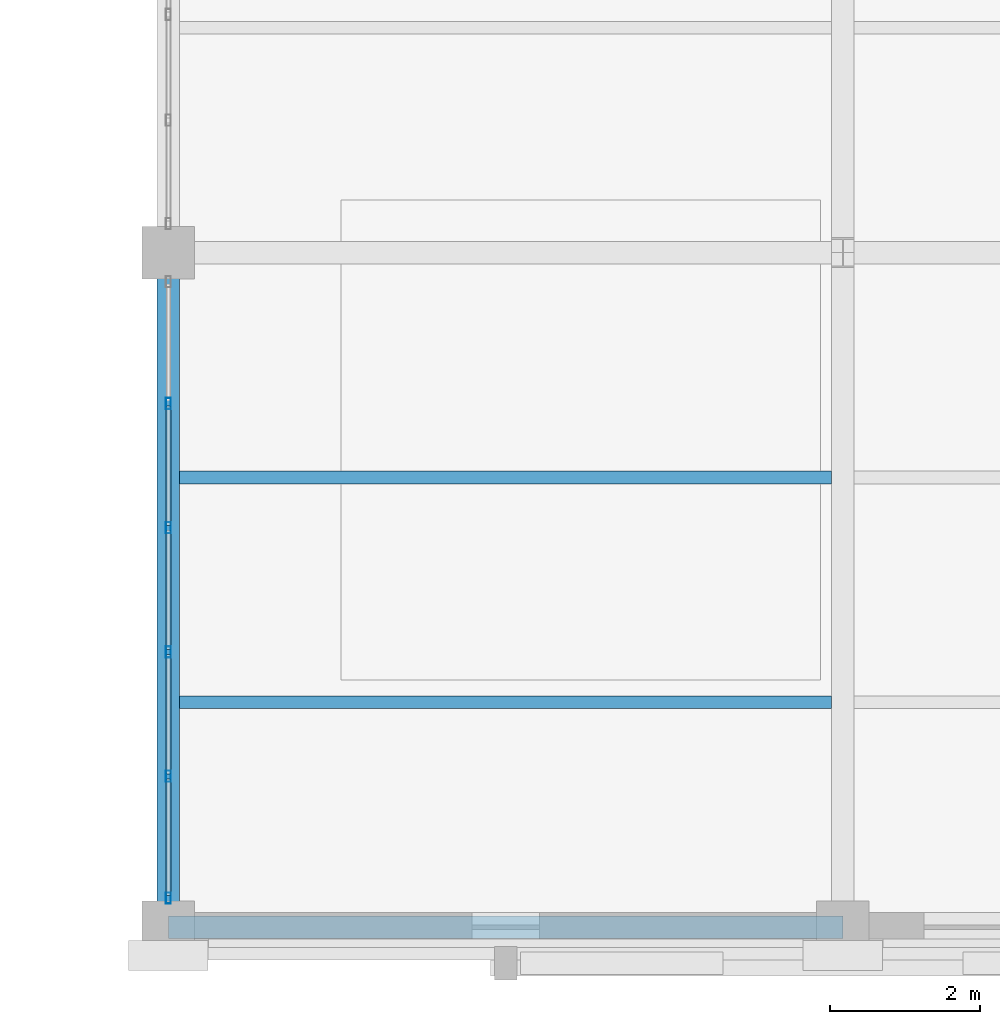
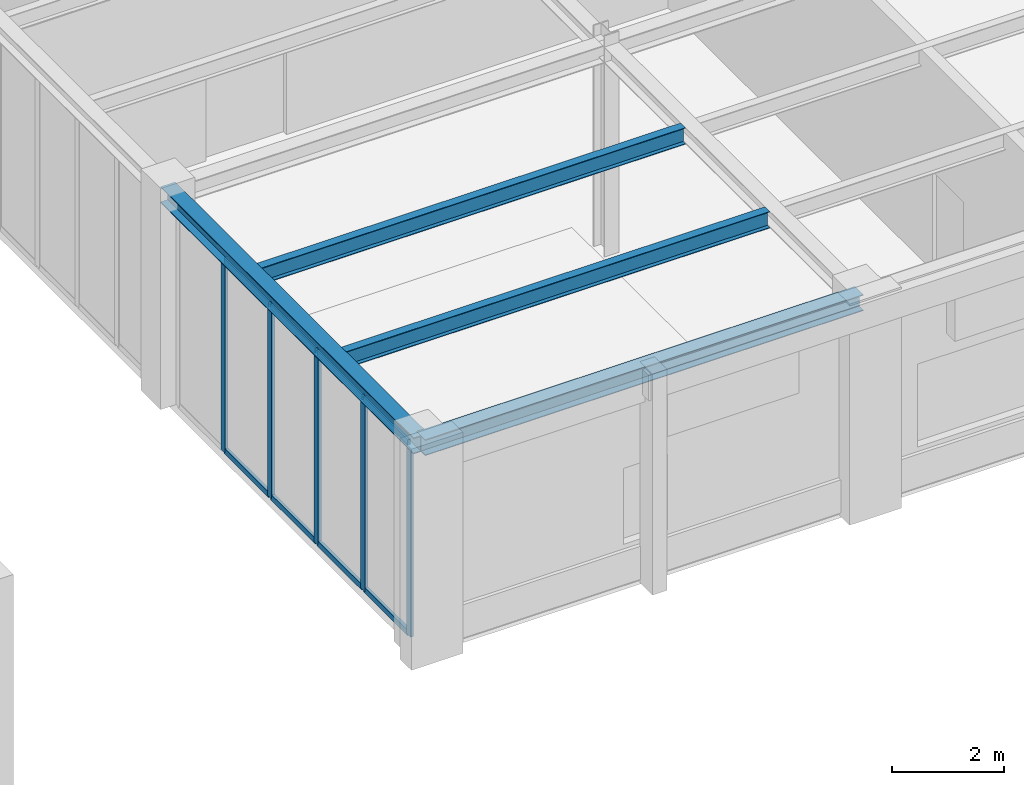
# One storey, part 28 of 92: 13 members, 4 beams, 1 element without a shape of its own.
"""IFC4 building model written with IfcOpenShell, lengths in metres."""

from ifc_helpers import new_model, si_unit, direction, frame, origin, origin_2d, place, context, subcontext, project, spatial, hollow_rectangle, i_section, extrude, material, material_profile, profile_set, type_object, element, aggregate, save


model = new_model("IFC4")

# Units and contexts
model_context = context("Model", 3, precision=1e-05, world=origin(), true_north=direction((0.0, 1.0)))
body_context = subcontext(model_context, "Body", "Model", "MODEL_VIEW")
ifc_project = project(units=[si_unit("LENGTHUNIT", "METRE"), si_unit("AREAUNIT", "SQUARE_METRE"), si_unit("VOLUMEUNIT", "CUBIC_METRE"), si_unit("PLANEANGLEUNIT", "RADIAN"), si_unit("MASSUNIT", "GRAM", prefix="KILO")], contexts=[model_context])

# Site, building, storey
site_placement = place(None, origin())
site = spatial("IfcSite", under=ifc_project, at=site_placement, CompositionType="ELEMENT")
building_placement = place(site_placement, origin())
building = spatial("IfcBuilding", under=site, at=building_placement, Name="Lykobir Media Centre", CompositionType="ELEMENT")
storey_placement = place(building_placement, frame((0.0, 0.0, 5.39990234375)))
storey = spatial("IfcBuildingStorey", under=building, at=storey_placement, Name="L01", CompositionType="ELEMENT", Elevation=5.39990234375)

# Curtain wall, members
ifc_material_1 = material(Name="Anodized Aluminium AW-6060", Category="aluminium")
curtain_wall_type = type_object("IfcCurtainWallType", Name="CW-BRIDGE", PredefinedType="NOTDEFINED", material=ifc_material_1)
curtain_wall_placement = place(storey_placement, origin())
curtain_wall = element("IfcCurtainWall", 1, at=curtain_wall_placement, inside=storey, type_object=curtain_wall_type, Name="Curtain wall CW2-L01-0026", PredefinedType="NOTDEFINED")
ifc_material_profile_1 = material_profile(ifc_material_1, hollow_rectangle(XDim=0.06494140625, YDim=0.14990234375, WallThickness=0.00341796875, at=origin_2d()), Name="ALU MULLION 65x150")
ifc_profile_set_1 = profile_set([ifc_material_profile_1], Name="Anodized Aluminium AW-6060")
member_type_1 = type_object("IfcMemberType", Name="CWM-150", PredefinedType="MULLION", material=ifc_profile_set_1)
member_1_placement = place(storey_placement, frame((90.0, 0.387451171875, 0.0), z_axis=(0.0, 0.0, 1.0), x_axis=(-1.0, 0.0, 0.0)))
member_1 = element("IfcMember", 2, at=member_1_placement, type_object=member_type_1, Name="CW2-L01-0026 mullion 1", PredefinedType="MULLION", context=body_context, shape_type="SweptSolid", body=[
    extrude(hollow_rectangle(XDim=0.06494140625, YDim=0.14990234375, WallThickness=0.00341796875, at=origin_2d()), origin(), (0.0, 0.0, 1.0), 4.195068359375),
])
member_2_placement = place(storey_placement, frame((90.0, 2.012939453125, 0.0), z_axis=(0.0, 0.0, 1.0), x_axis=(-1.0, 0.0, 0.0)))
member_2 = element("IfcMember", 3, at=member_2_placement, type_object=member_type_1, Name="CW2-L01-0026 mullion 2", PredefinedType="MULLION", context=body_context, shape_type="SweptSolid", body=[
    extrude(hollow_rectangle(XDim=0.06494140625, YDim=0.14990234375, WallThickness=0.00341796875, at=origin_2d()), origin(), (0.0, 0.0, 1.0), 4.195068359375),
])
member_3_placement = place(storey_placement, frame((90.0, 3.6708984375, 0.0), z_axis=(0.0, 0.0, 1.0), x_axis=(-1.0, 0.0, 0.0)))
member_3 = element("IfcMember", 4, at=member_3_placement, type_object=member_type_1, Name="CW2-L01-0026 mullion 3", PredefinedType="MULLION", context=body_context, shape_type="SweptSolid", body=[
    extrude(hollow_rectangle(XDim=0.06494140625, YDim=0.14990234375, WallThickness=0.00341796875, at=origin_2d()), origin(), (0.0, 0.0, 1.0), 4.195068359375),
])
member_4_placement = place(storey_placement, frame((90.0, 5.3291015625, 0.0), z_axis=(0.0, 0.0, 1.0), x_axis=(-1.0, 0.0, 0.0)))
member_4 = element("IfcMember", 5, at=member_4_placement, type_object=member_type_1, Name="CW2-L01-0026 mullion 4", PredefinedType="MULLION", context=body_context, shape_type="SweptSolid", body=[
    extrude(hollow_rectangle(XDim=0.06494140625, YDim=0.14990234375, WallThickness=0.00341796875, at=origin_2d()), origin(), (0.0, 0.0, 1.0), 4.195068359375),
])
member_5_placement = place(storey_placement, frame((90.0, 6.987060546875, 0.0), z_axis=(0.0, 0.0, 1.0), x_axis=(-1.0, 0.0, 0.0)))
member_5 = element("IfcMember", 6, at=member_5_placement, type_object=member_type_1, Name="CW2-L01-0026 mullion 5", PredefinedType="MULLION", context=body_context, shape_type="SweptSolid", body=[
    extrude(hollow_rectangle(XDim=0.06494140625, YDim=0.14990234375, WallThickness=0.00341796875, at=origin_2d()), origin(), (0.0, 0.0, 1.0), 4.195068359375),
])
ifc_material_profile_2 = material_profile(ifc_material_1, hollow_rectangle(XDim=0.06494140625, YDim=0.1201171875, WallThickness=0.0029296875, at=origin_2d()), Name="ALU TRANSOM 65x120")
ifc_profile_set_2 = profile_set([ifc_material_profile_2], Name="Anodized Aluminium AW-6060")
member_type_2 = type_object("IfcMemberType", Name="CWT-120", PredefinedType="USERDEFINED", material=ifc_profile_set_2)
member_6_placement = place(storey_placement, frame((90.0, 0.419921875, 0.03271484375), z_axis=(0.0, 1.0, 0.0), x_axis=(-1.0, 0.0, 0.0)))
member_6 = element("IfcMember", 7, at=member_6_placement, type_object=member_type_2, Name="CW2-L01-0026 transom 1.1", ObjectType="TRANSOM", PredefinedType="USERDEFINED", context=body_context, shape_type="SweptSolid", body=[
    extrude(hollow_rectangle(XDim=0.06494140625, YDim=0.1201171875, WallThickness=0.0029296875, at=origin_2d()), origin(), (0.0, 0.0, 1.0), 1.560546875),
])
member_7_placement = place(storey_placement, frame((90.0, 0.419921875, 4.16259765625), z_axis=(0.0, 1.0, 0.0), x_axis=(-1.0, 0.0, 0.0)))
member_7 = element("IfcMember", 8, at=member_7_placement, type_object=member_type_2, Name="CW2-L01-0026 transom 1.2", ObjectType="TRANSOM", PredefinedType="USERDEFINED", context=body_context, shape_type="SweptSolid", body=[
    extrude(hollow_rectangle(XDim=0.06494140625, YDim=0.1201171875, WallThickness=0.0029296875, at=origin_2d()), origin(), (0.0, 0.0, 1.0), 1.560546875),
])
member_8_placement = place(storey_placement, frame((90.0, 2.04541015625, 0.03271484375), z_axis=(0.0, 1.0, 0.0), x_axis=(-1.0, 0.0, 0.0)))
member_8 = element("IfcMember", 9, at=member_8_placement, type_object=member_type_2, Name="CW2-L01-0026 transom 2.1", ObjectType="TRANSOM", PredefinedType="USERDEFINED", context=body_context, shape_type="SweptSolid", body=[
    extrude(hollow_rectangle(XDim=0.06494140625, YDim=0.1201171875, WallThickness=0.0029296875, at=origin_2d()), origin(), (0.0, 0.0, 1.0), 1.593017578125),
])
member_9_placement = place(storey_placement, frame((90.0, 2.04541015625, 4.16259765625), z_axis=(0.0, 1.0, 0.0), x_axis=(-1.0, 0.0, 0.0)))
member_9 = element("IfcMember", 10, at=member_9_placement, type_object=member_type_2, Name="CW2-L01-0026 transom 2.2", ObjectType="TRANSOM", PredefinedType="USERDEFINED", context=body_context, shape_type="SweptSolid", body=[
    extrude(hollow_rectangle(XDim=0.06494140625, YDim=0.1201171875, WallThickness=0.0029296875, at=origin_2d()), origin(), (0.0, 0.0, 1.0), 1.593017578125),
])
member_10_placement = place(storey_placement, frame((90.0, 3.70361328125, 0.03271484375), z_axis=(0.0, 1.0, 0.0), x_axis=(-1.0, 0.0, 0.0)))
member_10 = element("IfcMember", 11, at=member_10_placement, type_object=member_type_2, Name="CW2-L01-0026 transom 3.1", ObjectType="TRANSOM", PredefinedType="USERDEFINED", context=body_context, shape_type="SweptSolid", body=[
    extrude(hollow_rectangle(XDim=0.06494140625, YDim=0.1201171875, WallThickness=0.0029296875, at=origin_2d()), origin(), (0.0, 0.0, 1.0), 1.5927734375),
])
member_11_placement = place(storey_placement, frame((90.0, 3.70361328125, 4.16259765625), z_axis=(0.0, 1.0, 0.0), x_axis=(-1.0, 0.0, 0.0)))
member_11 = element("IfcMember", 12, at=member_11_placement, type_object=member_type_2, Name="CW2-L01-0026 transom 3.2", ObjectType="TRANSOM", PredefinedType="USERDEFINED", context=body_context, shape_type="SweptSolid", body=[
    extrude(hollow_rectangle(XDim=0.06494140625, YDim=0.1201171875, WallThickness=0.0029296875, at=origin_2d()), origin(), (0.0, 0.0, 1.0), 1.5927734375),
])
member_12_placement = place(storey_placement, frame((90.0, 5.361572265625, 0.03271484375), z_axis=(0.0, 1.0, 0.0), x_axis=(-1.0, 0.0, 0.0)))
member_12 = element("IfcMember", 13, at=member_12_placement, type_object=member_type_2, Name="CW2-L01-0026 transom 4.1", ObjectType="TRANSOM", PredefinedType="USERDEFINED", context=body_context, shape_type="SweptSolid", body=[
    extrude(hollow_rectangle(XDim=0.06494140625, YDim=0.1201171875, WallThickness=0.0029296875, at=origin_2d()), origin(), (0.0, 0.0, 1.0), 1.593017578125),
])
member_13_placement = place(storey_placement, frame((90.0, 5.361572265625, 4.16259765625), z_axis=(0.0, 1.0, 0.0), x_axis=(-1.0, 0.0, 0.0)))
member_13 = element("IfcMember", 14, at=member_13_placement, type_object=member_type_2, Name="CW2-L01-0026 transom 4.2", ObjectType="TRANSOM", PredefinedType="USERDEFINED", context=body_context, shape_type="SweptSolid", body=[
    extrude(hollow_rectangle(XDim=0.06494140625, YDim=0.1201171875, WallThickness=0.0029296875, at=origin_2d()), origin(), (0.0, 0.0, 1.0), 1.593017578125),
])
aggregate(curtain_wall, [member_1, member_2, member_3, member_4, member_5, member_6, member_7, member_8, member_9, member_10, member_11, member_12, member_13])

# Beams
ifc_material_2 = material(Name="Steel S355", Category="steel")
ifc_material_profile_3 = material_profile(ifc_material_2, i_section(OverallWidth=0.169921875, OverallDepth=0.360107421875, WebThickness=0.008056640625, FlangeThickness=0.0126953125, at=origin_2d()), Name="IPE 360")
ifc_profile_set_3 = profile_set([ifc_material_profile_3], Name="Steel S355")
beam_type_1 = type_object("IfcBeamType", Name="JS-IPE360", PredefinedType="JOIST", material=ifc_profile_set_3)
for number, where, z_axis, x_axis, name in (
    (15, (90.14990234375, 3.0, 4.380126953125), (1.0, 0.0, 0.0), (0.0, 1.0, 0.0), "Beam BM-L01-0902-0030-0988-0030-978"),
    (16, (90.14990234375, 6.0, 4.380126953125), (1.0, 0.0, 0.0), (0.0, 1.0, 0.0), "Beam BM-L01-0902-0060-0988-0060-978"),
):
    element("IfcBeam", number, at=place(storey_placement, frame(where, z_axis=z_axis, x_axis=x_axis)), inside=storey, type_object=beam_type_1, Name=name, PredefinedType="JOIST", context=body_context, shape_type="SweptSolid", body=[
        extrude(i_section(OverallWidth=0.169921875, OverallDepth=0.360107421875, WebThickness=0.008056640625, FlangeThickness=0.0126953125, at=origin_2d()), origin(), (0.0, 0.0, 1.0), 8.7001953125),
    ])
ifc_material_profile_4 = material_profile(ifc_material_2, i_section(OverallWidth=0.300048828125, OverallDepth=0.35009765625, WebThickness=0.010009765625, FlangeThickness=0.017578125, at=origin_2d()), Name="HEA 360")
ifc_profile_set_4 = profile_set([ifc_material_profile_4], Name="Steel S355")
beam_type_2 = type_object("IfcBeamType", Name="SP-HEA360-E", PredefinedType="SPANDREL", material=ifc_profile_set_4)
for number, where, z_axis, x_axis, name in (
    (17, (90.0, 0.0, 4.385009765625), (1.0, 0.0, 0.0), (0.0, 1.0, 0.0), "Beam BM-L01-0900-0000-0990-0000-978"),
    (18, (90.0, 0.0, 4.385009765625), (0.0, 1.0, 0.0), (-1.0, 0.0, 0.0), "Beam BM-L01-0900-0000-0900-0090-978"),
):
    element("IfcBeam", number, at=place(storey_placement, frame(where, z_axis=z_axis, x_axis=x_axis)), inside=storey, type_object=beam_type_2, Name=name, PredefinedType="SPANDREL", context=body_context, shape_type="SweptSolid", body=[
        extrude(i_section(OverallWidth=0.300048828125, OverallDepth=0.35009765625, WebThickness=0.010009765625, FlangeThickness=0.017578125, at=origin_2d()), origin(), (0.0, 0.0, 1.0), 9.0),
    ])

save(model, "model.ifc")
